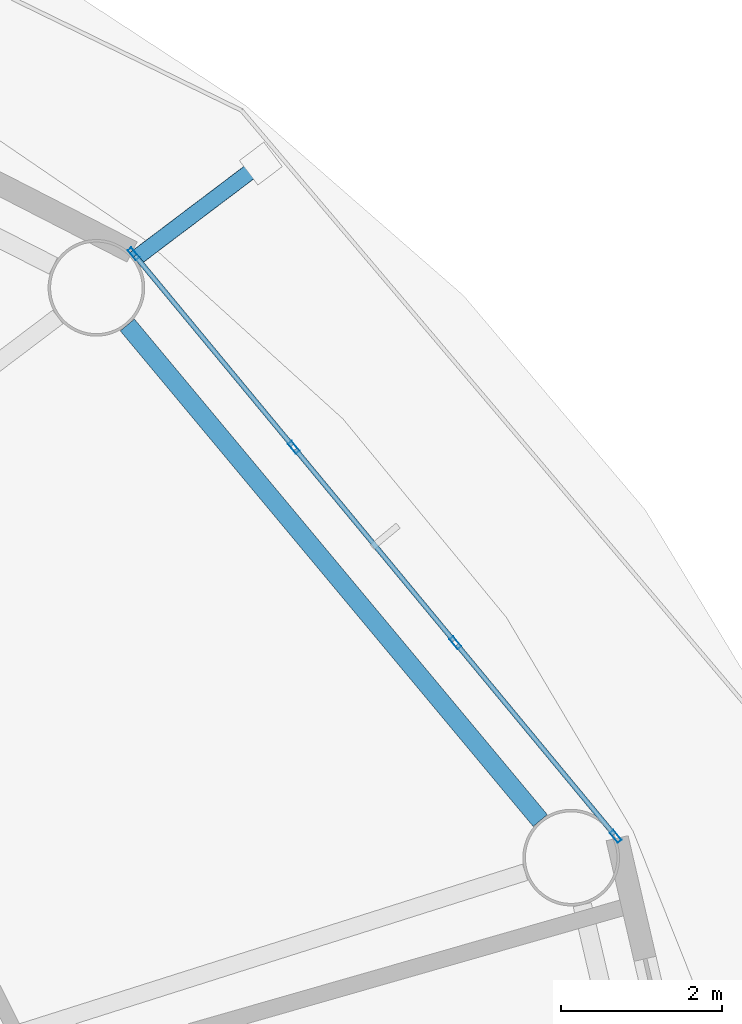
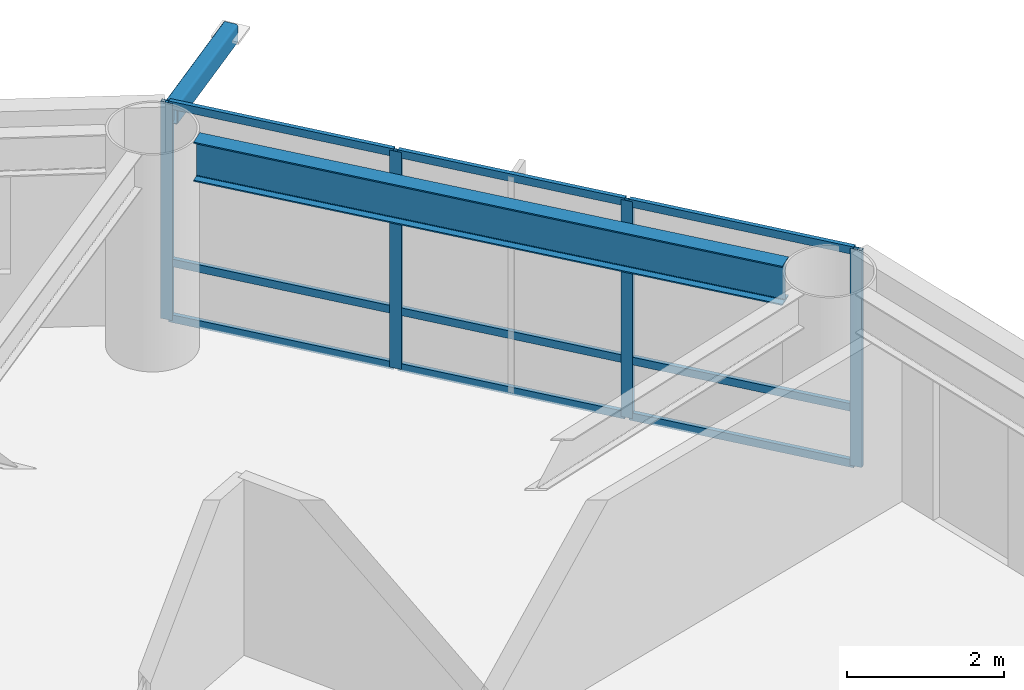
# One storey, part 12 of 24: 14 members, 1 beam, 1 element without a shape of its own.
"""IFC4 building model written with IfcOpenShell, lengths in metres."""

from ifc_helpers import new_model, si_unit, direction, frame, origin, origin_2d, place, context, subcontext, project, spatial, hollow_rectangle, i_section, extrude, material, layer, layer_set, material_profile, profile_set, type_object, element, aggregate, save


model = new_model("IFC4")

# Units and contexts
model_context = context("Model", 3, precision=1e-05, world=origin(), true_north=direction((0.0, 1.0)))
body_context = subcontext(model_context, "Body", "Model", "MODEL_VIEW")
ifc_project = project(units=[si_unit("LENGTHUNIT", "METRE"), si_unit("AREAUNIT", "SQUARE_METRE"), si_unit("VOLUMEUNIT", "CUBIC_METRE"), si_unit("PLANEANGLEUNIT", "RADIAN"), si_unit("MASSUNIT", "GRAM", prefix="KILO")], contexts=[model_context])

# Site, building, storey
site_placement = place(None, origin())
site = spatial("IfcSite", under=ifc_project, at=site_placement, CompositionType="ELEMENT")
building_placement = place(site_placement, origin())
building = spatial("IfcBuilding", under=site, at=building_placement, Name="Sarneth Arch Tower", CompositionType="ELEMENT")
storey_placement = place(building_placement, frame((0.0, 0.0, 102.0)))
storey = spatial("IfcBuildingStorey", under=building, at=storey_placement, Name="L25", CompositionType="ELEMENT", Elevation=102.0)

# Beam
ifc_material_1 = material(Name="Steel S355", Category="steel")
ifc_material_profile_1 = material_profile(ifc_material_1, i_section(OverallWidth=0.22900390625, OverallDepth=0.612060546875, WebThickness=0.011962890625, FlangeThickness=0.01953125, FilletRadius=0.01904296875, at=origin_2d()), Name="W610x125")
ifc_profile_set_1 = profile_set([ifc_material_profile_1], Name="Steel S355")
beam_type = type_object("IfcBeamType", Name="BM-SPAN-610C", PredefinedType="SPANDREL", material=ifc_profile_set_1)
beam_placement = place(storey_placement, frame((73.906982421875, 50.803466796875, 3.073974609375), z_axis=(-0.640163403463, 0.768238775946, 0.0), x_axis=(-0.768238775946, -0.640163403463, 0.0)))
element("IfcBeam", 1, at=beam_placement, inside=storey, type_object=beam_type, Name="L25 Perimeter spandrel beam 02", PredefinedType="SPANDREL", context=body_context, shape_type="SweptSolid", body=[
    extrude(i_section(OverallWidth=0.22900390625, OverallDepth=0.612060546875, WebThickness=0.011962890625, FlangeThickness=0.01953125, FilletRadius=0.01904296875, at=origin_2d()), origin(), (0.0, 0.0, 1.0), 8.006103515625),
])

# Curtain wall, members
ifc_material_2 = material(Name="Anodised aluminium Type AA25 and solar-control low-e laminated IGU", Category="aluminium")
ifc_layer = layer(ifc_material_2, 0.159912109375)
ifc_layer_set = layer_set([ifc_layer], Name="Anodised aluminium Type AA25 and solar-control low-e laminated IGU")
curtain_wall_type = type_object("IfcCurtainWallType", Name="CW-HOTEL-MID", PredefinedType="NOTDEFINED", material=ifc_layer_set)
curtain_wall_placement = place(storey_placement, origin())
curtain_wall = element("IfcCurtainWall", 2, at=curtain_wall_placement, inside=storey, type_object=curtain_wall_type, Name="L25 Unitised curtain wall facet 02", PredefinedType="NOTDEFINED")
ifc_material_3 = material(Name="Anodised Aluminium 6063-T6", Category="aluminium")
ifc_material_profile_2 = material_profile(ifc_material_3, hollow_rectangle(XDim=0.06005859375, YDim=0.159912109375, WallThickness=0.00390625, at=origin_2d()), Name="AL-MULL-160x60x4")
ifc_profile_set_2 = profile_set([ifc_material_profile_2], Name="Anodised Aluminium 6063-T6")
member_type_1 = type_object("IfcMemberType", Name="CW-MULLION", PredefinedType="MULLION", material=ifc_profile_set_2)
member_1_placement = place(storey_placement, frame((74.84228515625, 50.606689453125, 0.0), z_axis=(0.0, 0.0, 1.0), x_axis=(-0.770437787363, -0.637515188684, 0.0)))
member_1 = element("IfcMember", 3, at=member_1_placement, type_object=member_type_1, Name="CW-SYS-4 mullion 1", PredefinedType="MULLION", context=body_context, shape_type="SweptSolid", body=[
    extrude(hollow_rectangle(XDim=0.06005859375, YDim=0.159912109375, WallThickness=0.00390625, at=origin_2d()), origin(), (0.0, 0.0, 1.0), 3.3798828125),
])
member_2_placement = place(storey_placement, frame((72.854248046875, 53.00927734375, 0.0), z_axis=(0.0, 0.0, 1.0), x_axis=(-0.770437787363, -0.637515188684, 0.0)))
member_2 = element("IfcMember", 4, at=member_2_placement, type_object=member_type_1, Name="CW-SYS-4 mullion 2", PredefinedType="MULLION", context=body_context, shape_type="SweptSolid", body=[
    extrude(hollow_rectangle(XDim=0.06005859375, YDim=0.159912109375, WallThickness=0.00390625, at=origin_2d()), origin(), (0.0, 0.0, 1.0), 3.3798828125),
])
member_3_placement = place(storey_placement, frame((70.84716796875, 55.434814453125, 0.0), z_axis=(0.0, 0.0, 1.0), x_axis=(-0.770437787363, -0.637515188684, 0.0)))
member_3 = element("IfcMember", 5, at=member_3_placement, type_object=member_type_1, Name="CW-SYS-4 mullion 3", PredefinedType="MULLION", context=body_context, shape_type="SweptSolid", body=[
    extrude(hollow_rectangle(XDim=0.06005859375, YDim=0.159912109375, WallThickness=0.00390625, at=origin_2d()), origin(), (0.0, 0.0, 1.0), 3.3798828125),
])
member_4_placement = place(storey_placement, frame((68.859130859375, 57.83740234375, 0.0), z_axis=(0.0, 0.0, 1.0), x_axis=(-0.770437787363, -0.637515188684, 0.0)))
member_4 = element("IfcMember", 6, at=member_4_placement, type_object=member_type_1, Name="CW-SYS-4 mullion 4", PredefinedType="MULLION", context=body_context, shape_type="SweptSolid", body=[
    extrude(hollow_rectangle(XDim=0.06005859375, YDim=0.159912109375, WallThickness=0.00390625, at=origin_2d()), origin(), (0.0, 0.0, 1.0), 3.3798828125),
])
ifc_material_4 = material(Name="Anodised Aluminium 6063-T6", Category="aluminium")
ifc_material_profile_3 = material_profile(ifc_material_4, hollow_rectangle(XDim=0.06005859375, YDim=0.1201171875, WallThickness=0.00390625, at=origin_2d()), Name="AL-TRAN-120x60x4")
ifc_profile_set_3 = profile_set([ifc_material_profile_3], Name="Anodised Aluminium 6063-T6")
member_type_2 = type_object("IfcMemberType", Name="CW-TRANSOM", PredefinedType="USERDEFINED", material=ifc_profile_set_3)
member_5_placement = place(storey_placement, frame((74.8232421875, 50.6298828125, 0.030029296875), z_axis=(-0.637566080343, 0.770395673142, 0.0), x_axis=(-0.770395673142, -0.637566080343, 0.0)))
member_5 = element("IfcMember", 7, at=member_5_placement, type_object=member_type_2, Name="CW-SYS-4 transom 1.1", ObjectType="TRANSOM", PredefinedType="USERDEFINED", context=body_context, shape_type="SweptSolid", body=[
    extrude(hollow_rectangle(XDim=0.06005859375, YDim=0.1201171875, WallThickness=0.00390625, at=origin_2d()), origin(), (0.0, 0.0, 1.0), 3.058349609375),
])
member_6_placement = place(storey_placement, frame((74.8232421875, 50.6298828125, 0.89990234375), z_axis=(-0.637566080343, 0.770395673142, 0.0), x_axis=(-0.770395673142, -0.637566080343, 0.0)))
member_6 = element("IfcMember", 8, at=member_6_placement, type_object=member_type_2, Name="CW-SYS-4 transom 1.2", ObjectType="TRANSOM", PredefinedType="USERDEFINED", context=body_context, shape_type="SweptSolid", body=[
    extrude(hollow_rectangle(XDim=0.06005859375, YDim=0.1201171875, WallThickness=0.00390625, at=origin_2d()), origin(), (0.0, 0.0, 1.0), 3.058349609375),
])
member_7_placement = place(storey_placement, frame((74.8232421875, 50.6298828125, 3.35009765625), z_axis=(-0.637566080343, 0.770395673142, 0.0), x_axis=(-0.770395673142, -0.637566080343, 0.0)))
member_7 = element("IfcMember", 9, at=member_7_placement, type_object=member_type_2, Name="CW-SYS-4 transom 1.3", ObjectType="TRANSOM", PredefinedType="USERDEFINED", context=body_context, shape_type="SweptSolid", body=[
    extrude(hollow_rectangle(XDim=0.06005859375, YDim=0.1201171875, WallThickness=0.00390625, at=origin_2d()), origin(), (0.0, 0.0, 1.0), 3.058349609375),
])
member_8_placement = place(storey_placement, frame((72.835205078125, 53.0322265625, 0.030029296875), z_axis=(-0.637536975021, 0.770419759275, 0.0), x_axis=(-0.770419759275, -0.637536975021, 0.0)))
member_8 = element("IfcMember", 10, at=member_8_placement, type_object=member_type_2, Name="CW-SYS-4 transom 2.1", ObjectType="TRANSOM", PredefinedType="USERDEFINED", context=body_context, shape_type="SweptSolid", body=[
    extrude(hollow_rectangle(XDim=0.06005859375, YDim=0.1201171875, WallThickness=0.00390625, at=origin_2d()), origin(), (0.0, 0.0, 1.0), 3.08837890625),
])
member_9_placement = place(storey_placement, frame((72.835205078125, 53.0322265625, 0.89990234375), z_axis=(-0.637536975021, 0.770419759275, 0.0), x_axis=(-0.770419759275, -0.637536975021, 0.0)))
member_9 = element("IfcMember", 11, at=member_9_placement, type_object=member_type_2, Name="CW-SYS-4 transom 2.2", ObjectType="TRANSOM", PredefinedType="USERDEFINED", context=body_context, shape_type="SweptSolid", body=[
    extrude(hollow_rectangle(XDim=0.06005859375, YDim=0.1201171875, WallThickness=0.00390625, at=origin_2d()), origin(), (0.0, 0.0, 1.0), 3.08837890625),
])
member_10_placement = place(storey_placement, frame((72.835205078125, 53.0322265625, 3.35009765625), z_axis=(-0.637536975021, 0.770419759275, 0.0), x_axis=(-0.770419759275, -0.637536975021, 0.0)))
member_10 = element("IfcMember", 12, at=member_10_placement, type_object=member_type_2, Name="CW-SYS-4 transom 2.3", ObjectType="TRANSOM", PredefinedType="USERDEFINED", context=body_context, shape_type="SweptSolid", body=[
    extrude(hollow_rectangle(XDim=0.06005859375, YDim=0.1201171875, WallThickness=0.00390625, at=origin_2d()), origin(), (0.0, 0.0, 1.0), 3.08837890625),
])
member_11_placement = place(storey_placement, frame((70.828125, 55.4580078125, 0.030029296875), z_axis=(-0.637566080343, 0.770395673142, 0.0), x_axis=(-0.770395673142, -0.637566080343, 0.0)))
member_11 = element("IfcMember", 13, at=member_11_placement, type_object=member_type_2, Name="CW-SYS-4 transom 3.1", ObjectType="TRANSOM", PredefinedType="USERDEFINED", context=body_context, shape_type="SweptSolid", body=[
    extrude(hollow_rectangle(XDim=0.06005859375, YDim=0.1201171875, WallThickness=0.00390625, at=origin_2d()), origin(), (0.0, 0.0, 1.0), 3.058349609375),
])
member_12_placement = place(storey_placement, frame((70.828125, 55.4580078125, 0.89990234375), z_axis=(-0.637566080343, 0.770395673142, 0.0), x_axis=(-0.770395673142, -0.637566080343, 0.0)))
member_12 = element("IfcMember", 14, at=member_12_placement, type_object=member_type_2, Name="CW-SYS-4 transom 3.2", ObjectType="TRANSOM", PredefinedType="USERDEFINED", context=body_context, shape_type="SweptSolid", body=[
    extrude(hollow_rectangle(XDim=0.06005859375, YDim=0.1201171875, WallThickness=0.00390625, at=origin_2d()), origin(), (0.0, 0.0, 1.0), 3.058349609375),
])
member_13_placement = place(storey_placement, frame((70.828125, 55.4580078125, 3.35009765625), z_axis=(-0.637566080343, 0.770395673142, 0.0), x_axis=(-0.770395673142, -0.637566080343, 0.0)))
member_13 = element("IfcMember", 15, at=member_13_placement, type_object=member_type_2, Name="CW-SYS-4 transom 3.3", ObjectType="TRANSOM", PredefinedType="USERDEFINED", context=body_context, shape_type="SweptSolid", body=[
    extrude(hollow_rectangle(XDim=0.06005859375, YDim=0.1201171875, WallThickness=0.00390625, at=origin_2d()), origin(), (0.0, 0.0, 1.0), 3.058349609375),
])
aggregate(curtain_wall, [member_1, member_2, member_3, member_4, member_5, member_6, member_7, member_8, member_9, member_10, member_11, member_12, member_13])

# Member
ifc_material_5 = material(Name="Steel S355", Category="steel")
ifc_material_profile_4 = material_profile(ifc_material_5, hollow_rectangle(XDim=0.199951171875, YDim=0.300048828125, WallThickness=0.012451171875, InnerFilletRadius=0.018798828125, OuterFilletRadius=0.03125, at=origin_2d()), Name="RHS300x200x12.5")
ifc_profile_set_4 = profile_set([ifc_material_profile_4], Name="Steel S355")
member_type_3 = type_object("IfcMemberType", Name="MEM-CANT-STRUT", PredefinedType="STRUT", material=ifc_profile_set_4)
member_14_placement = place(storey_placement, frame((68.876220703125, 57.776611328125, 3.219970703125), z_axis=(0.797811377056, 0.602907129365, 0.0), x_axis=(-0.602907129365, 0.797811377056, 0.0)))
element("IfcMember", 16, at=member_14_placement, inside=storey, type_object=member_type_3, Name="L25 Balcony cantilever bracket 03", PredefinedType="STRUT", context=body_context, shape_type="SweptSolid", body=[
    extrude(hollow_rectangle(XDim=0.199951171875, YDim=0.300048828125, WallThickness=0.012451171875, InnerFilletRadius=0.018798828125, OuterFilletRadius=0.03125, at=origin_2d()), origin(), (0.0, 0.0, 1.0), 1.958984375),
])

save(model, "model.ifc")
